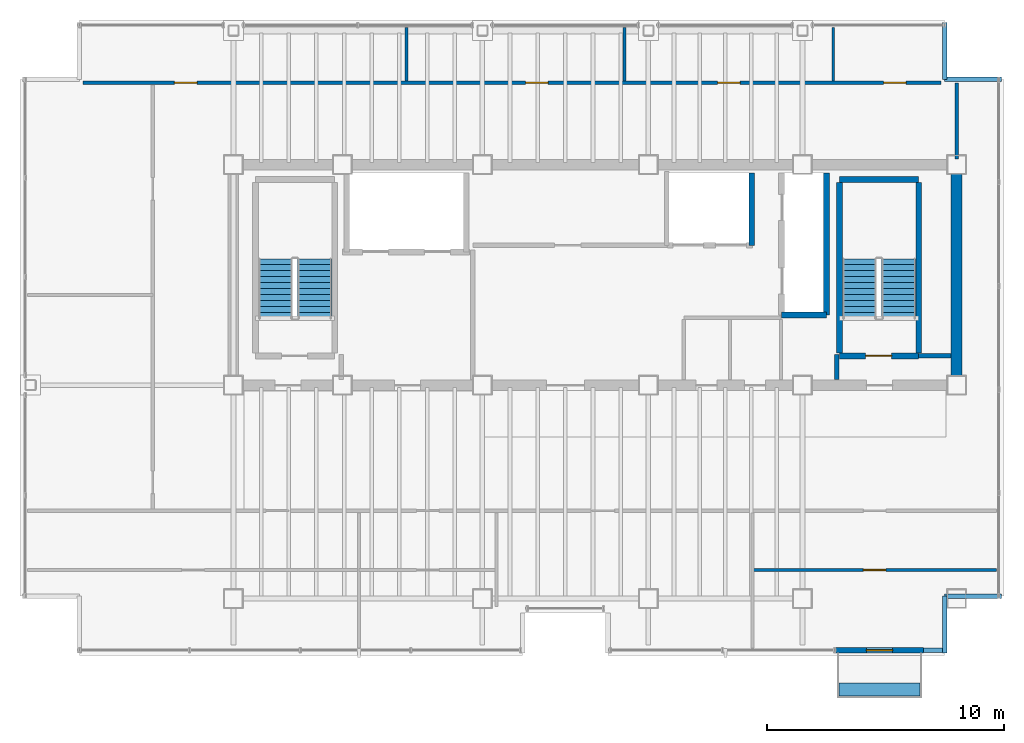
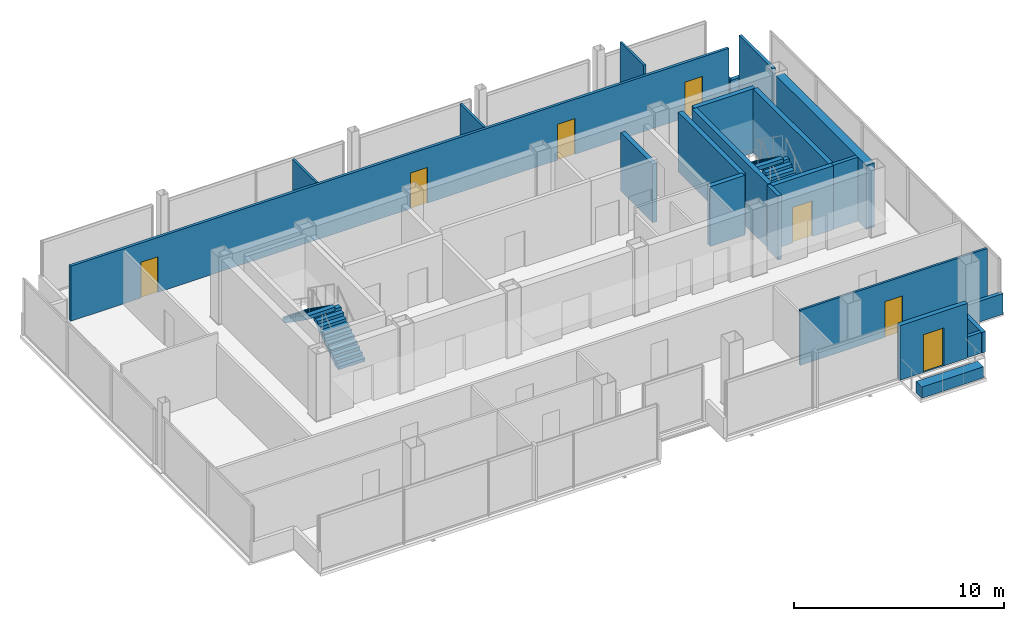
# One storey, part 16 of 17: 22 walls, 7 doors, 4 stair flights, 1 discrete accessory, 7 openings, 2 elements without a shape of their own.
"""IFC4 building model written with IfcOpenShell, lengths in metres."""

import ifcopenshell
import ifcopenshell.guid

model = None  # the IFC model being written
_history = None  # IfcOwnerHistory: only IFC2X3 demands one
_inside = {}  # id of a spatial element -> (the spatial element, [elements in it])
_under = {}  # id of a project, library or spatial element -> (it, [spatial elements below it])
_declared = {}  # id of a project -> (the project, [libraries it declares])
_typed = {}  # id of a type object -> (the type object, [elements of that type])
_made_of = {}  # id of a material, layer set ... -> (it, [elements and type objects made of it])


def new_model(schema):
    """Start an empty IFC model of exactly this schema.

    Asked for "IFC4X3", IfcOpenShell would pick the latest addendum, in which some entities
    have other attributes; the version numbers below select the first issue.
    IFC2X3 requires an IfcOwnerHistory on every rooted entity: one is made here for all.
    """
    global model, _history
    if schema == "IFC4X3":
        model = ifcopenshell.file(schema_version=(4, 3, 0, 0))
    else:
        model = ifcopenshell.file(schema=schema)
    _inside.clear()
    _under.clear()
    _declared.clear()
    _typed.clear()
    _made_of.clear()
    _history = None
    if model.schema == "IFC2X3":
        org = make("IfcOrganization", Name="unknown")
        user = make(
            "IfcPersonAndOrganization",
            ThePerson=make("IfcPerson", FamilyName="unknown"),
            TheOrganization=org,
        )
        app = make(
            "IfcApplication",
            ApplicationDeveloper=org,
            Version="unknown",
            ApplicationFullName="unknown",
            ApplicationIdentifier="unknown",
        )
        _history = make(
            "IfcOwnerHistory",
            OwningUser=user,
            OwningApplication=app,
            ChangeAction="ADDED",
            CreationDate=0,
        )
    return model


def make(cls, **values):
    """One entity of the class cls with the attributes given. An attribute that is None is left unset."""
    return model.create_entity(
        cls, **{name: value for name, value in values.items() if value is not None}
    )


def rooted(cls, **values):
    """An entity with a GlobalId (a new one), such as an element, a storey or a relation."""
    return make(cls, GlobalId=ifcopenshell.guid.new(), OwnerHistory=_history, **values)


def si_unit(unit_type, name, prefix=None):
    """IfcSIUnit, for example si_unit("LENGTHUNIT", "METRE", prefix="MILLI")."""
    return make("IfcSIUnit", UnitType=unit_type, Prefix=prefix, Name=name)


def assignment(units):
    """IfcUnitAssignment: the units of a project."""
    return None if units is None else make("IfcUnitAssignment", Units=units)


def point(xyz):
    """IfcCartesianPoint."""
    return None if xyz is None else make("IfcCartesianPoint", Coordinates=xyz)


def direction(xyz):
    """IfcDirection."""
    return None if xyz is None else make("IfcDirection", DirectionRatios=xyz)


def frame(location, z_axis=None, x_axis=None):
    """IfcAxis2Placement3D, a coordinate frame: its origin and axes. An axis left out is left unset."""
    return make(
        "IfcAxis2Placement3D",
        Location=point(location),
        Axis=direction(z_axis),
        RefDirection=direction(x_axis),
    )


def frame_2d(location, x_axis=None):
    """IfcAxis2Placement2D, a coordinate frame in the plane: its origin and x axis."""
    return make(
        "IfcAxis2Placement2D", Location=point(location), RefDirection=direction(x_axis)
    )


def origin():
    """The frame at (0, 0, 0) with its axes left unset."""
    return frame((0.0, 0.0, 0.0))


def origin_2d():
    """The frame at (0, 0) in the plane with its x axis left unset."""
    return frame_2d((0.0, 0.0))


def place(relative_to, where):
    """IfcLocalPlacement: puts the frame where relative to a parent placement (None: the world)."""
    return make(
        "IfcLocalPlacement", PlacementRelTo=relative_to, RelativePlacement=where
    )


def context(
    kind, dimensions, precision=None, world=None, true_north=None, identifier=None
):
    """IfcGeometricRepresentationContext, for example the 3D "Model" context."""
    return make(
        "IfcGeometricRepresentationContext",
        ContextIdentifier=identifier,
        ContextType=kind,
        CoordinateSpaceDimension=dimensions,
        Precision=precision,
        WorldCoordinateSystem=world,
        TrueNorth=true_north,
    )


def subcontext(parent, identifier, kind, view, scale=None):
    """IfcGeometricRepresentationSubContext, for example "Body" below "Model"."""
    return make(
        "IfcGeometricRepresentationSubContext",
        ContextIdentifier=identifier,
        ContextType=kind,
        ParentContext=parent,
        TargetScale=scale,
        TargetView=view,
    )


def project(units=None, contexts=None):
    """IfcProject with its units and contexts."""
    return rooted(
        "IfcProject",
        Name="project",
        RepresentationContexts=contexts,
        UnitsInContext=assignment(units),
    )


def spatial(cls, under=None, at=None, **own):
    """A site, building, storey or space (cls), placed at a placement, below another one or the project."""
    s = rooted(cls, ObjectPlacement=at, **own)
    if under is not None:
        _under.setdefault(under.id(), (under, []))[1].append(s)
    return s


def polyline(points):
    """IfcPolyline through the points."""
    return make("IfcPolyline", Points=[point(p) for p in points])


def profile(cls, at=None, kind="AREA", **sizes):
    """A parametric profile (cls). Its sizes go by their IFC names, for example OverallWidth=200.0."""
    return make(cls, ProfileType=kind, Position=at, **sizes)


def rectangle(**sizes):
    """IfcRectangleProfileDef."""
    return profile("IfcRectangleProfileDef", **sizes)


def outline(outer, holes=None, kind="AREA"):
    """IfcArbitraryClosedProfileDef: a profile drawn as a closed curve; with holes, ...WithVoids."""
    if holes is None:
        return make("IfcArbitraryClosedProfileDef", ProfileType=kind, OuterCurve=outer)
    return make(
        "IfcArbitraryProfileDefWithVoids",
        ProfileType=kind,
        OuterCurve=outer,
        InnerCurves=holes,
    )


def extrude(swept, where, along, depth):
    """IfcExtrudedAreaSolid: the profile swept, set in the frame where, extruded along a direction by depth."""
    return make(
        "IfcExtrudedAreaSolid",
        SweptArea=swept,
        Position=where,
        ExtrudedDirection=direction(along),
        Depth=depth,
    )


def shape(context_of_items, identifier, shape_type, items):
    """IfcShapeRepresentation: the items that make up one representation, for example the "Body"."""
    return make(
        "IfcShapeRepresentation",
        ContextOfItems=context_of_items,
        RepresentationIdentifier=identifier,
        RepresentationType=shape_type,
        Items=items,
    )


def material(Name=None, Category=None):
    """IfcMaterial."""
    return make("IfcMaterial", Name=Name, Category=Category)


def layer(
    of_material, thickness, ventilated=None, Name=None, Category=None, Priority=None
):
    """IfcMaterialLayer: one layer of a wall or slab, of a material (None: an air gap)."""
    return make(
        "IfcMaterialLayer",
        Material=of_material,
        LayerThickness=thickness,
        IsVentilated=ventilated,
        Name=Name,
        Category=Category,
        Priority=Priority,
    )


def layer_set(layers, Name=None):
    """IfcMaterialLayerSet."""
    return make("IfcMaterialLayerSet", MaterialLayers=layers, LayerSetName=Name)


def made_of(thing, what):
    """Note that an element or type object is made of a material, layer set ...; save() writes the relation."""
    if what is not None:
        _made_of.setdefault(what.id(), (what, []))[1].append(thing)
    return thing


def type_object(cls, material=None, **own):
    """A type object (cls), such as IfcWallType, which elements share."""
    return made_of(rooted(cls, **own), material)


def element(
    cls,
    number,
    at=None,
    inside=None,
    cuts=None,
    type_object=None,
    material=None,
    context=None,
    identifier="Body",
    shape_type=None,
    held_by="IfcProductDefinitionShape",
    body=None,
    shapes=None,
    **own,
):
    """One element of the class cls, such as IfcWall. Its Tag is "e" and its number.

    at: its placement. inside: the storey or other place that contains it. cuts: it is an
    opening in that element (IfcRelVoidsElement). A single representation is given by context,
    identifier, shape_type and body (its items); several are given by shapes. held_by: the class
    of the entity that holds the representations. save() writes the other relations.
    """
    e = rooted(cls, Tag="e%d" % number, ObjectPlacement=at, **own)
    if body is not None:
        shapes = [shape(context, identifier, shape_type, body)]
    if shapes is not None:
        e.Representation = make(held_by, Representations=shapes)
    if inside is not None:
        _inside.setdefault(inside.id(), (inside, []))[1].append(e)
    if cuts is not None:
        rooted(
            "IfcRelVoidsElement", RelatingBuildingElement=cuts, RelatedOpeningElement=e
        )
    if type_object is not None:
        _typed.setdefault(type_object.id(), (type_object, []))[1].append(e)
    return made_of(e, material)


def fill(opening, filler):
    """IfcRelFillsElement: the door or window that sits in an opening."""
    return rooted(
        "IfcRelFillsElement",
        RelatingOpeningElement=opening,
        RelatedBuildingElement=filler,
    )


def aggregate(whole, parts):
    """IfcRelAggregates: a whole, such as a stair, and the parts it consists of."""
    return rooted("IfcRelAggregates", RelatingObject=whole, RelatedObjects=parts)


def save(model, path):
    """Write the relations noted so far, then the file.

    IfcRelAggregates (storeys below a building ...), IfcRelContainedInSpatialStructure (elements
    in a storey), IfcRelDefinesByType, IfcRelAssociatesMaterial and IfcRelDeclares: one each for
    every whole, place, type object, material and project.
    """
    for whole, parts in _under.values():
        aggregate(whole, parts)
    for where, things in _inside.values():
        rooted(
            "IfcRelContainedInSpatialStructure",
            RelatedElements=things,
            RelatingStructure=where,
        )
    for kind, things in _typed.values():
        rooted("IfcRelDefinesByType", RelatedObjects=things, RelatingType=kind)
    for what, things in _made_of.values():
        rooted("IfcRelAssociatesMaterial", RelatedObjects=things, RelatingMaterial=what)
    for by, libraries in _declared.values():
        rooted("IfcRelDeclares", RelatingContext=by, RelatedDefinitions=libraries)
    model.write(path)


model = new_model("IFC4")

# Units and contexts
model_context = context("Model", 3, precision=1e-05, world=origin(), true_north=direction((0.0, 1.0)))
body_context = subcontext(model_context, "Body", "Model", "MODEL_VIEW")
ifc_project = project(units=[si_unit("LENGTHUNIT", "METRE"), si_unit("AREAUNIT", "SQUARE_METRE"), si_unit("VOLUMEUNIT", "CUBIC_METRE"), si_unit("PLANEANGLEUNIT", "RADIAN"), si_unit("MASSUNIT", "GRAM", prefix="KILO")], contexts=[model_context])

# Site, building, storey
site_placement = place(None, origin())
site = spatial("IfcSite", under=ifc_project, at=site_placement, CompositionType="ELEMENT")
building_placement = place(site_placement, origin())
building = spatial("IfcBuilding", under=site, at=building_placement, Name="Noeulbin Bourse Tower", CompositionType="ELEMENT")
storey_placement = place(building_placement, frame((0.0, 0.0, 261.800048828125)))
storey = spatial("IfcBuildingStorey", under=building, at=storey_placement, Name="L65", CompositionType="ELEMENT", Elevation=261.800048828125)

# Wall
ifc_material_1 = material(Name="Concrete C50/60", Category="concrete")
ifc_layer_1 = layer(ifc_material_1, 0.449951171875)
ifc_layer_set_1 = layer_set([ifc_layer_1], Name="Concrete C50/60")
wall_type_1 = type_object("IfcWallType", Name="WAL-CORE-450", PredefinedType="SHEAR", material=ifc_layer_set_1)
wall_1_placement = place(storey_placement, frame((44.0, 29.35009765625, 0.0), z_axis=(0.0, 0.0, 1.0), x_axis=(0.0, 1.0, 0.0)))
element("IfcWall", 1, at=wall_1_placement, inside=storey, type_object=wall_type_1, Name="Rear Core East Shear Wall L65", PredefinedType="SHEAR", context=body_context, shape_type="SweptSolid", body=[
    extrude(rectangle(XDim=8.599853515625, YDim=0.449951171875, at=frame_2d((4.2998046875, 0.0))), origin(), (0.0, 0.0, 1.0), 3.719970703125),
])

# Wall, opening, door
ifc_material_2 = material(Name="Precast Concrete C40/50", Category="concrete")
ifc_layer_2 = layer(ifc_material_2, 0.25)
ifc_layer_set_2 = layer_set([ifc_layer_2], Name="Precast Concrete C40/50")
wall_type_2 = type_object("IfcWallType", Name="WAL-EXT-250", PredefinedType="STANDARD", material=ifc_layer_set_2)
wall_2_placement = place(storey_placement, frame((38.89990234375, 17.820068359375, 0.0), z_axis=(0.0, 0.0, 1.0), x_axis=(1.0, 0.0, 0.0)))
wall_2 = element("IfcWall", 2, at=wall_2_placement, inside=storey, type_object=wall_type_2, Name="Balcony Threshold Wall L65", PredefinedType="STANDARD", context=body_context, shape_type="SweptSolid", body=[
    extrude(rectangle(XDim=3.7001953125, YDim=0.25, at=frame_2d((1.85009765625, 0.0))), origin(), (0.0, 0.0, 1.0), 3.179931640625),
])
opening_1_placement = place(wall_2_placement, frame((1.300048828125, 0.0, 0.0)))
opening_1 = element("IfcOpeningElement", 3, at=opening_1_placement, cuts=wall_2, Name="Opening BD-11", PredefinedType="OPENING", context=body_context, shape_type="SweptSolid", body=[
    extrude(rectangle(XDim=1.10009765625, YDim=2.199951171875, at=frame_2d((0.550048828125, 1.10009765625))), frame((0.0, 0.135009765625, 0.0), z_axis=(0.0, -1.0, 0.0), x_axis=(1.0, 0.0, 0.0)), (0.0, 0.0, 1.0), 0.27001953125),
])
ifc_material_3 = material(Name="Thermally Broken Aluminium Framed Glass", Category="aluminium")
door_type_1 = type_object("IfcDoorType", Name="DR-BAL-1100", OperationType="SINGLE_SWING_LEFT", PredefinedType="DOOR", material=ifc_material_3)
door_1_placement = place(opening_1_placement, origin())
door_1 = element("IfcDoor", 4, at=door_1_placement, inside=storey, type_object=door_type_1, Name="Tree-Balcony Access Door BD-L65", OperationType="SINGLE_SWING_LEFT", OverallHeight=2.199951171875, OverallWidth=1.10009765625, PredefinedType="DOOR", context=body_context, shape_type="SweptSolid", body=[
    extrude(rectangle(XDim=1.10009765625, YDim=2.199951171875, at=frame_2d((0.550048828125, 1.10009765625))), frame((0.0, 0.02490234375, 0.0), z_axis=(0.0, -1.0, 0.0), x_axis=(1.0, 0.0, 0.0)), (0.0, 0.0, 1.0), 0.050048828125),
])
fill(opening_1, door_1)

# Walls
ifc_material_4 = material(Name="Concrete C40/50", Category="concrete")
ifc_layer_3 = layer(ifc_material_4, 0.199951171875)
ifc_layer_set_3 = layer_set([ifc_layer_3], Name="Concrete C40/50")
wall_type_3 = type_object("IfcWallType", Name="WAL-FIRE-200", PredefinedType="STANDARD", material=ifc_layer_set_3)
wall_3_placement = place(storey_placement, frame((42.39990234375, 30.239990234375, 0.0), z_axis=(0.0, 0.0, 1.0), x_axis=(1.0, 0.0, 0.0)))
element("IfcWall", 5, at=wall_3_placement, inside=storey, type_object=wall_type_3, Name="Interior Partition Wall L65-01", PredefinedType="STANDARD", context=body_context, shape_type="SweptSolid", body=[
    extrude(rectangle(XDim=1.364990234375, YDim=0.199951171875, at=frame_2d((0.6826171875, 0.0))), origin(), (0.0, 0.0, 1.0), 3.719970703125),
])
wall_4_placement = place(storey_placement, frame((38.949951171875, 29.235107421875, 0.0), z_axis=(0.0, 0.0, 1.0), x_axis=(0.0, 1.0, 0.0)))
element("IfcWall", 6, at=wall_4_placement, inside=storey, type_object=wall_type_3, Name="Interior Partition Wall L65-11", PredefinedType="STANDARD", context=body_context, shape_type="SweptSolid", body=[
    extrude(rectangle(XDim=1.06494140625, YDim=0.199951171875, at=frame_2d((0.532470703125, 0.0))), origin(), (0.0, 0.0, 1.0), 3.719970703125),
])
ifc_layer_4 = layer(ifc_material_4, 0.199951171875)
ifc_layer_set_4 = layer_set([ifc_layer_4], Name="Concrete C40/50")
wall_type_4 = type_object("IfcWallType", Name="WAL-PAR-200", PredefinedType="PARAPET", material=ifc_layer_set_4)
wall_5_placement = place(storey_placement, frame((42.60009765625, 17.820068359375, 0.0), z_axis=(0.0, 0.0, 1.0), x_axis=(1.0, 0.0, 0.0)))
element("IfcWall", 7, at=wall_5_placement, inside=storey, type_object=wall_type_4, Name="Perimeter Pier Spandrel Parapet L65-S1", PredefinedType="PARAPET", context=body_context, shape_type="SweptSolid", body=[
    extrude(rectangle(XDim=0.7998046875, YDim=0.199951171875, at=frame_2d((0.39990234375, 0.0))), origin(), (0.0, 0.0, 1.0), 1.199951171875),
])
wall_6_placement = place(storey_placement, frame((43.5, 17.699951171875, 0.0), z_axis=(0.0, 0.0, 1.0), x_axis=(0.0, 1.0, 0.0)))
element("IfcWall", 8, at=wall_6_placement, inside=storey, type_object=wall_type_4, Name="Corner Notch Parapet L65-SE1", PredefinedType="PARAPET", context=body_context, shape_type="SweptSolid", body=[
    extrude(rectangle(XDim=2.400146484375, YDim=0.199951171875, at=frame_2d((1.2001953125, 0.0))), origin(), (0.0, 0.0, 1.0), 1.199951171875),
])
wall_7_placement = place(storey_placement, frame((43.5, 20.10009765625, 0.0), z_axis=(0.0, 0.0, 1.0), x_axis=(1.0, 0.0, 0.0)))
element("IfcWall", 9, at=wall_7_placement, inside=storey, type_object=wall_type_4, Name="Corner Notch Parapet L65-SE2", PredefinedType="PARAPET", context=body_context, shape_type="SweptSolid", body=[
    extrude(rectangle(XDim=2.39990234375, YDim=0.199951171875, at=frame_2d((1.199951171875, 0.0))), origin(), (0.0, 0.0, 1.0), 1.199951171875),
])
wall_8_placement = place(storey_placement, frame((43.5, 44.300048828125, 0.0), z_axis=(0.0, 0.0, 1.0), x_axis=(0.0, -1.0, 0.0)))
element("IfcWall", 10, at=wall_8_placement, inside=storey, type_object=wall_type_4, Name="Corner Notch Parapet L65-NE1", PredefinedType="PARAPET", context=body_context, shape_type="SweptSolid", body=[
    extrude(rectangle(XDim=2.400146484375, YDim=0.199951171875, at=frame_2d((1.2001953125, 0.0))), origin(), (0.0, 0.0, 1.0), 1.199951171875),
])
wall_9_placement = place(storey_placement, frame((43.5, 41.89990234375, 0.0), z_axis=(0.0, 0.0, 1.0), x_axis=(1.0, 0.0, 0.0)))
element("IfcWall", 11, at=wall_9_placement, inside=storey, type_object=wall_type_4, Name="Corner Notch Parapet L65-NE2", PredefinedType="PARAPET", context=body_context, shape_type="SweptSolid", body=[
    extrude(rectangle(XDim=2.39990234375, YDim=0.199951171875, at=frame_2d((1.199951171875, 0.0))), origin(), (0.0, 0.0, 1.0), 1.199951171875),
])

# Wall, opening, door
ifc_material_5 = material(Name="Steel Stud Gypsum Partition", Category="steel")
ifc_layer_5 = layer(ifc_material_5, 0.1201171875)
ifc_layer_set_5 = layer_set([ifc_layer_5], Name="Steel Stud Gypsum Partition")
wall_type_5 = type_object("IfcWallType", Name="WAL-PRT-120", PredefinedType="PARTITIONING", material=ifc_layer_set_5)
wall_10_placement = place(storey_placement, frame((35.39990234375, 21.199951171875, 0.0), z_axis=(0.0, 0.0, 1.0), x_axis=(1.0, 0.0, 0.0)))
wall_10 = element("IfcWall", 12, at=wall_10_placement, inside=storey, type_object=wall_type_5, Name="Interior Partition Wall L65-07", PredefinedType="PARTITIONING", context=body_context, shape_type="SweptSolid", body=[
    extrude(rectangle(XDim=10.2900390625, YDim=0.1201171875, at=frame_2d((5.14501953125, 0.0))), origin(), (0.0, 0.0, 1.0), 3.199951171875),
])
opening_2_placement = place(wall_10_placement, frame((4.669921875, 0.0, 0.0)))
opening_2 = element("IfcOpeningElement", 13, at=opening_2_placement, cuts=wall_10, Name="Opening ID-09", PredefinedType="OPENING", context=body_context, shape_type="SweptSolid", body=[
    extrude(rectangle(XDim=0.949951171875, YDim=2.080078125, at=frame_2d((0.47509765625, 1.0400390625))), frame((0.0, 0.070068359375, 0.0), z_axis=(0.0, -1.0, 0.0), x_axis=(1.0, 0.0, 0.0)), (0.0, 0.0, 1.0), 0.14013671875),
])
ifc_material_6 = material(Name="Acoustic Solid-Core Timber", Category="wood")
door_type_2 = type_object("IfcDoorType", Name="DR-SINGLE-950", OperationType="SINGLE_SWING_LEFT", PredefinedType="DOOR", material=ifc_material_6)
door_2_placement = place(opening_2_placement, origin())
door_2 = element("IfcDoor", 14, at=door_2_placement, inside=storey, type_object=door_type_2, Name="Interior Door L65-13", OperationType="SINGLE_SWING_RIGHT", OverallHeight=2.080078125, OverallWidth=0.949951171875, PredefinedType="DOOR", context=body_context, shape_type="SweptSolid", body=[
    extrude(rectangle(XDim=0.949951171875, YDim=2.080078125, at=frame_2d((0.47509765625, 1.0400390625))), frame((0.0, 0.02490234375, 0.0), z_axis=(0.0, -1.0, 0.0), x_axis=(1.0, 0.0, 0.0)), (0.0, 0.0, 1.0), 0.050048828125),
])
fill(opening_2, door_2)

# Walls
for number, where, z_axis, x_axis, name in (
    (15, (20.800048828125, 41.8349609375, 0.0), (0.0, 0.0, 1.0), (0.0, 1.0, 0.0), "Interior Partition Wall L65-21"),
    (16, (30.0, 41.8349609375, 0.0), (0.0, 0.0, 1.0), (0.0, 1.0, 0.0), "Interior Partition Wall L65-22"),
):
    element("IfcWall", number, at=place(storey_placement, frame(where, z_axis=z_axis, x_axis=x_axis)), inside=storey, type_object=wall_type_5, Name=name, PredefinedType="PARTITIONING", context=body_context, shape_type="SweptSolid", body=[
        extrude(rectangle(XDim=2.255126953125, YDim=0.1201171875, at=frame_2d((1.12744140625, 0.0))), origin(), (0.0, 0.0, 1.0), 3.2119140625),
    ])
wall_11_placement = place(storey_placement, frame((38.800048828125, 41.8349609375, 0.0), z_axis=(0.0, 0.0, 1.0), x_axis=(0.0, 1.0, 0.0)))
element("IfcWall", 17, at=wall_11_placement, inside=storey, type_object=wall_type_5, Name="Interior Partition Wall L65-23", PredefinedType="PARTITIONING", context=body_context, shape_type="SweptSolid", body=[
    extrude(rectangle(XDim=2.255126953125, YDim=0.1201171875, at=frame_2d((1.12744140625, 0.0))), origin(), (0.0, 0.0, 1.0), 3.719970703125),
])

# Wall, openings, doors
ifc_material_7 = material(Name="Steel Stud Acoustic Gypsum Board", Category="steel")
ifc_layer_6 = layer(ifc_material_7, 0.14990234375)
ifc_layer_set_6 = layer_set([ifc_layer_6], Name="Steel Stud Acoustic Gypsum Board")
wall_type_6 = type_object("IfcWallType", Name="WAL-PRT-150", PredefinedType="PARTITIONING", material=ifc_layer_set_6)
wall_12_placement = place(storey_placement, frame((7.159912109375, 41.75, 0.0), z_axis=(0.0, 0.0, 1.0), x_axis=(1.0, 0.0, 0.0)))
wall_12 = element("IfcWall", 18, at=wall_12_placement, inside=storey, type_object=wall_type_6, Name="Interior Partition Wall L65-09", PredefinedType="PARTITIONING", context=body_context, shape_type="SweptSolid", body=[
    extrude(rectangle(XDim=36.18017578125, YDim=0.14990234375, at=frame_2d((18.090087890625, 0.0))), origin(), (0.0, 0.0, 1.0), 3.199951171875),
])
opening_3_placement = place(wall_12_placement, frame((3.85498046875, 0.0, 0.0)))
opening_3 = element("IfcOpeningElement", 19, at=opening_3_placement, cuts=wall_12, Name="Opening ID-09", PredefinedType="OPENING", context=body_context, shape_type="SweptSolid", body=[
    extrude(rectangle(XDim=0.949951171875, YDim=2.080078125, at=frame_2d((0.47509765625, 1.0400390625))), frame((0.0, 0.0849609375, 0.0), z_axis=(0.0, -1.0, 0.0), x_axis=(1.0, 0.0, 0.0)), (0.0, 0.0, 1.0), 0.169921875),
])
opening_4_placement = place(wall_12_placement, frame((18.6650390625, 0.0, 0.0)))
opening_4 = element("IfcOpeningElement", 20, at=opening_4_placement, cuts=wall_12, Name="Opening ID-09", PredefinedType="OPENING", context=body_context, shape_type="SweptSolid", body=[
    extrude(rectangle(XDim=0.949951171875, YDim=2.080078125, at=frame_2d((0.47509765625, 1.0400390625))), frame((0.0, 0.0849609375, 0.0), z_axis=(0.0, -1.0, 0.0), x_axis=(1.0, 0.0, 0.0)), (0.0, 0.0, 1.0), 0.169921875),
])
opening_5_placement = place(wall_12_placement, frame((26.764892578125, 0.0, 0.0)))
opening_5 = element("IfcOpeningElement", 21, at=opening_5_placement, cuts=wall_12, Name="Opening ID-09", PredefinedType="OPENING", context=body_context, shape_type="SweptSolid", body=[
    extrude(rectangle(XDim=0.949951171875, YDim=2.080078125, at=frame_2d((0.47509765625, 1.0400390625))), frame((0.0, 0.0849609375, 0.0), z_axis=(0.0, -1.0, 0.0), x_axis=(1.0, 0.0, 0.0)), (0.0, 0.0, 1.0), 0.169921875),
])
opening_6_placement = place(wall_12_placement, frame((33.764892578125, 0.0, 0.0)))
opening_6 = element("IfcOpeningElement", 22, at=opening_6_placement, cuts=wall_12, Name="Opening ID-09", PredefinedType="OPENING", context=body_context, shape_type="SweptSolid", body=[
    extrude(rectangle(XDim=0.949951171875, YDim=2.080078125, at=frame_2d((0.47509765625, 1.0400390625))), frame((0.0, 0.0849609375, 0.0), z_axis=(0.0, -1.0, 0.0), x_axis=(1.0, 0.0, 0.0)), (0.0, 0.0, 1.0), 0.169921875),
])
door_3_placement = place(opening_3_placement, origin())
door_3 = element("IfcDoor", 23, at=door_3_placement, inside=storey, type_object=door_type_2, Name="Interior Door L65-17", OperationType="SINGLE_SWING_RIGHT", OverallHeight=2.080078125, OverallWidth=0.949951171875, PredefinedType="DOOR", context=body_context, shape_type="SweptSolid", body=[
    extrude(rectangle(XDim=0.949951171875, YDim=2.080078125, at=frame_2d((0.47509765625, 1.0400390625))), frame((0.0, 0.02490234375, 0.0), z_axis=(0.0, -1.0, 0.0), x_axis=(1.0, 0.0, 0.0)), (0.0, 0.0, 1.0), 0.050048828125),
])
fill(opening_3, door_3)
door_4_placement = place(opening_4_placement, origin())
door_4 = element("IfcDoor", 24, at=door_4_placement, inside=storey, type_object=door_type_2, Name="Interior Door L65-18", OperationType="SINGLE_SWING_LEFT", OverallHeight=2.080078125, OverallWidth=0.949951171875, PredefinedType="DOOR", context=body_context, shape_type="SweptSolid", body=[
    extrude(rectangle(XDim=0.949951171875, YDim=2.080078125, at=frame_2d((0.47509765625, 1.0400390625))), frame((0.0, 0.02490234375, 0.0), z_axis=(0.0, -1.0, 0.0), x_axis=(1.0, 0.0, 0.0)), (0.0, 0.0, 1.0), 0.050048828125),
])
fill(opening_4, door_4)
door_5_placement = place(opening_5_placement, origin())
door_5 = element("IfcDoor", 25, at=door_5_placement, inside=storey, type_object=door_type_2, Name="Interior Door L65-19", OperationType="SINGLE_SWING_RIGHT", OverallHeight=2.080078125, OverallWidth=0.949951171875, PredefinedType="DOOR", context=body_context, shape_type="SweptSolid", body=[
    extrude(rectangle(XDim=0.949951171875, YDim=2.080078125, at=frame_2d((0.47509765625, 1.0400390625))), frame((0.0, 0.02490234375, 0.0), z_axis=(0.0, -1.0, 0.0), x_axis=(1.0, 0.0, 0.0)), (0.0, 0.0, 1.0), 0.050048828125),
])
fill(opening_5, door_5)
door_6_placement = place(opening_6_placement, origin())
door_6 = element("IfcDoor", 26, at=door_6_placement, inside=storey, type_object=door_type_2, Name="Interior Door L65-20", OperationType="SINGLE_SWING_LEFT", OverallHeight=2.080078125, OverallWidth=0.949951171875, PredefinedType="DOOR", context=body_context, shape_type="SweptSolid", body=[
    extrude(rectangle(XDim=0.949951171875, YDim=2.080078125, at=frame_2d((0.47509765625, 1.0400390625))), frame((0.0, 0.02490234375, 0.0), z_axis=(0.0, -1.0, 0.0), x_axis=(1.0, 0.0, 0.0)), (0.0, 0.0, 1.0), 0.050048828125),
])
fill(opening_6, door_6)

# Wall
wall_13_placement = place(storey_placement, frame((44.0, 38.534912109375, 0.0), z_axis=(0.0, 0.0, 1.0), x_axis=(0.0, 1.0, 0.0)))
element("IfcWall", 27, at=wall_13_placement, inside=storey, type_object=wall_type_6, Name="Interior Partition Wall L65-20", PredefinedType="PARTITIONING", context=body_context, shape_type="SweptSolid", body=[
    extrude(rectangle(XDim=3.205078125, YDim=0.14990234375, at=frame_2d((1.6025390625, 0.0))), origin(), (0.0, 0.0, 1.0), 3.719970703125),
])

# Wall, opening, door
ifc_layer_7 = layer(ifc_material_4, 0.25)
ifc_layer_set_7 = layer_set([ifc_layer_7], Name="Concrete C40/50")
wall_type_7 = type_object("IfcWallType", Name="WAL-SHFT-250", PredefinedType="STANDARD", material=ifc_layer_set_7)
wall_14_placement = place(storey_placement, frame((39.06005859375, 30.235107421875, 0.0), z_axis=(0.0, 0.0, 1.0), x_axis=(1.0, 0.0, 0.0)))
wall_14 = element("IfcWall", 28, at=wall_14_placement, inside=storey, type_object=wall_type_7, Name="Stair ST-2 South Shaft Wall L65", PredefinedType="STANDARD", context=body_context, shape_type="SweptSolid", body=[
    extrude(rectangle(XDim=3.33984375, YDim=0.25, at=frame_2d((1.669921875, 0.0))), origin(), (0.0, 0.0, 1.0), 3.719970703125),
])
opening_7_placement = place(wall_14_placement, frame((1.10009765625, 0.0, 0.0)))
opening_7 = element("IfcOpeningElement", 29, at=opening_7_placement, cuts=wall_14, Name="Opening FD-11", PredefinedType="OPENING", context=body_context, shape_type="SweptSolid", body=[
    extrude(rectangle(XDim=1.10009765625, YDim=2.080078125, at=frame_2d((0.550048828125, 1.0400390625))), frame((0.0, 0.135009765625, 0.0), z_axis=(0.0, -1.0, 0.0), x_axis=(1.0, 0.0, 0.0)), (0.0, 0.0, 1.0), 0.27001953125),
])
ifc_material_8 = material(Name="Fire-Rated Insulated Steel", Category="steel")
door_type_3 = type_object("IfcDoorType", Name="DR-FD60-1100", OperationType="SINGLE_SWING_LEFT", PredefinedType="DOOR", material=ifc_material_8)
door_7_placement = place(opening_7_placement, origin())
door_7 = element("IfcDoor", 30, at=door_7_placement, inside=storey, type_object=door_type_3, Name="Protected Stair Entry Door ST2-L65", OperationType="SINGLE_SWING_LEFT", OverallHeight=2.080078125, OverallWidth=1.10009765625, PredefinedType="DOOR", context=body_context, shape_type="SweptSolid", body=[
    extrude(rectangle(XDim=1.10009765625, YDim=2.080078125, at=frame_2d((0.550048828125, 1.0400390625))), frame((0.0, 0.02490234375, 0.0), z_axis=(0.0, -1.0, 0.0), x_axis=(1.0, 0.0, 0.0)), (0.0, 0.0, 1.0), 0.050048828125),
])
fill(opening_7, door_7)

# Walls
wall_15_placement = place(storey_placement, frame((39.06005859375, 37.6689453125, 0.0), z_axis=(0.0, 0.0, 1.0), x_axis=(1.0, 0.0, 0.0)))
element("IfcWall", 31, at=wall_15_placement, inside=storey, type_object=wall_type_7, Name="Stair ST-2 North Shaft Wall L65", PredefinedType="STANDARD", context=body_context, shape_type="SweptSolid", body=[
    extrude(rectangle(XDim=3.33984375, YDim=0.25, at=frame_2d((1.669921875, 0.0))), origin(), (0.0, 0.0, 1.0), 3.719970703125),
])
for number, where, z_axis, x_axis, name in (
    (32, (39.054931640625, 30.360107421875, 0.0), (0.0, 0.0, 1.0), (0.0, 1.0, 0.0), "Stair ST-2 West Shaft Wall L65"),
    (33, (42.405029296875, 30.360107421875, 0.0), (0.0, 0.0, 1.0), (0.0, 1.0, 0.0), "Stair ST-2 East Shaft Wall L65"),
):
    element("IfcWall", number, at=place(storey_placement, frame(where, z_axis=z_axis, x_axis=x_axis)), inside=storey, type_object=wall_type_7, Name=name, PredefinedType="STANDARD", context=body_context, shape_type="SweptSolid", body=[
        extrude(rectangle(XDim=7.183837890625, YDim=0.25, at=frame_2d((3.591796875, 0.0))), origin(), (0.0, 0.0, 1.0), 3.719970703125),
    ])
wall_16_placement = place(storey_placement, frame((38.52001953125, 31.949951171875, 0.0), z_axis=(0.0, 0.0, 1.0), x_axis=(0.0, 1.0, 0.0)))
element("IfcWall", 34, at=wall_16_placement, inside=storey, type_object=wall_type_7, Name="Service Lift East Shaft Wall L65", PredefinedType="STANDARD", context=body_context, shape_type="SweptSolid", body=[
    extrude(rectangle(XDim=6.0, YDim=0.25, at=frame_2d((3.0, 0.0))), origin(), (0.0, 0.0, 1.0), 3.47998046875),
])
wall_17_placement = place(storey_placement, frame((36.6201171875, 31.949951171875, 0.0), z_axis=(0.0, 0.0, 1.0), x_axis=(1.0, 0.0, 0.0)))
element("IfcWall", 35, at=wall_17_placement, inside=storey, type_object=wall_type_7, Name="Service Lift South Shaft Wall L65", PredefinedType="STANDARD", context=body_context, shape_type="SweptSolid", body=[
    extrude(rectangle(XDim=1.89990234375, YDim=0.25, at=frame_2d((0.949951171875, 0.0))), origin(), (0.0, 0.0, 1.0), 3.47998046875),
])
wall_18_placement = place(storey_placement, frame((35.360107421875, 34.89990234375, 0.0), z_axis=(0.0, 0.0, 1.0), x_axis=(0.0, 1.0, 0.0)))
element("IfcWall", 36, at=wall_18_placement, inside=storey, type_object=wall_type_7, Name="High-Rise Lift East Shaft Wall L65", PredefinedType="STANDARD", context=body_context, shape_type="SweptSolid", body=[
    extrude(rectangle(XDim=3.050048828125, YDim=0.25, at=frame_2d((1.52490234375, 0.0))), origin(), (0.0, 0.0, 1.0), 3.39990234375),
])

# Stair, stair flights
stair_type = type_object("IfcStairType", Name="STR-CORE-1560", PredefinedType="HALF_TURN_STAIR", material=ifc_material_4)
stair_1_placement = place(storey_placement, origin())
stair_1 = element("IfcStair", 37, at=stair_1_placement, inside=storey, type_object=stair_type, Name="L65 ST-1", PredefinedType="HALF_TURN_STAIR")
stair_flight_type = type_object("IfcStairFlightType", Name="SFL-CORE-1560", PredefinedType="STRAIGHT", material=ifc_material_4)
stair_flight_1_placement = place(storey_placement, frame((16.925048828125, 31.81005859375, 0.0), z_axis=(0.0, 0.0, 1.0), x_axis=(0.0, 1.0, 0.0)))
stair_flight_1 = element("IfcStairFlight", 38, at=stair_flight_1_placement, type_object=stair_flight_type, Name="ST-1 flight 1", NumberOfRisers=11, NumberOfTreads=10, PredefinedType="STRAIGHT", RiserHeight=0.177272727, TreadLength=0.252, context=body_context, shape_type="SweptSolid", body=[
    extrude(outline(polyline([(0.0, 0.0), (0.0, 0.17724609375), (0.251953125, 0.17724609375), (0.251953125, 0.3544921875), (0.50390625, 0.3544921875), (0.50390625, 0.53173828125), (0.756103515625, 0.53173828125), (0.756103515625, 0.708984375), (1.008056640625, 0.708984375), (1.008056640625, 0.886474609375), (1.260009765625, 0.886474609375), (1.260009765625, 1.063720703125), (1.511962890625, 1.063720703125), (1.511962890625, 1.240966796875), (1.763916015625, 1.240966796875), (1.763916015625, 1.418212890625), (2.01611328125, 1.418212890625), (2.01611328125, 1.595458984375), (2.26806640625, 1.595458984375), (2.26806640625, 1.772705078125), (2.52001953125, 1.772705078125), (2.52001953125, 1.949951171875), (2.52001953125, 1.552734375), (0.312744140625, 0.0), (0.0, 0.0)])), frame((0.0, 0.72509765625, 0.0), z_axis=(0.0, -1.0, 0.0), x_axis=(1.0, 0.0, 0.0)), (0.0, 0.0, 1.0), 1.449951171875),
])
stair_flight_2_placement = place(storey_placement, frame((15.27490234375, 34.330078125, 1.949951171875), z_axis=(0.0, 0.0, 1.0), x_axis=(0.0, -1.0, 0.0)))
stair_flight_2 = element("IfcStairFlight", 39, at=stair_flight_2_placement, type_object=stair_flight_type, Name="ST-1 flight 2", NumberOfRisers=11, NumberOfTreads=10, PredefinedType="STRAIGHT", RiserHeight=0.177272727, TreadLength=0.252, context=body_context, shape_type="SweptSolid", body=[
    extrude(outline(polyline([(0.0, 0.0), (0.0, 0.17724609375), (0.251953125, 0.17724609375), (0.251953125, 0.3544921875), (0.50390625, 0.3544921875), (0.50390625, 0.53173828125), (0.756103515625, 0.53173828125), (0.756103515625, 0.708984375), (1.008056640625, 0.708984375), (1.008056640625, 0.886474609375), (1.260009765625, 0.886474609375), (1.260009765625, 1.063720703125), (1.511962890625, 1.063720703125), (1.511962890625, 1.240966796875), (1.763916015625, 1.240966796875), (1.763916015625, 1.418212890625), (2.01611328125, 1.418212890625), (2.01611328125, 1.595458984375), (2.26806640625, 1.595458984375), (2.26806640625, 1.772705078125), (2.52001953125, 1.772705078125), (2.52001953125, 1.949951171875), (2.52001953125, 1.552734375), (0.312744140625, 0.0), (0.0, 0.0)])), frame((0.0, 0.72509765625, 0.0), z_axis=(0.0, -1.0, 0.0), x_axis=(1.0, 0.0, 0.0)), (0.0, 0.0, 1.0), 1.449951171875),
])
aggregate(stair_1, [stair_flight_1, stair_flight_2])

stair_2_placement = place(storey_placement, origin())
stair_2 = element("IfcStair", 40, at=stair_2_placement, inside=storey, type_object=stair_type, Name="L65 ST-2", PredefinedType="HALF_TURN_STAIR")
stair_flight_3_placement = place(storey_placement, frame((41.554931640625, 31.81005859375, 0.0), z_axis=(0.0, 0.0, 1.0), x_axis=(0.0, 1.0, 0.0)))
stair_flight_3 = element("IfcStairFlight", 41, at=stair_flight_3_placement, type_object=stair_flight_type, Name="ST-2 flight 1", NumberOfRisers=11, NumberOfTreads=10, PredefinedType="STRAIGHT", RiserHeight=0.177272727, TreadLength=0.252, context=body_context, shape_type="SweptSolid", body=[
    extrude(outline(polyline([(0.0, 0.0), (0.0, 0.17724609375), (0.251953125, 0.17724609375), (0.251953125, 0.3544921875), (0.50390625, 0.3544921875), (0.50390625, 0.53173828125), (0.756103515625, 0.53173828125), (0.756103515625, 0.708984375), (1.008056640625, 0.708984375), (1.008056640625, 0.886474609375), (1.260009765625, 0.886474609375), (1.260009765625, 1.063720703125), (1.511962890625, 1.063720703125), (1.511962890625, 1.240966796875), (1.763916015625, 1.240966796875), (1.763916015625, 1.418212890625), (2.01611328125, 1.418212890625), (2.01611328125, 1.595458984375), (2.26806640625, 1.595458984375), (2.26806640625, 1.772705078125), (2.52001953125, 1.772705078125), (2.52001953125, 1.949951171875), (2.52001953125, 1.552734375), (0.312744140625, 0.0), (0.0, 0.0)])), frame((0.0, 0.72509765625, 0.0), z_axis=(0.0, -1.0, 0.0), x_axis=(1.0, 0.0, 0.0)), (0.0, 0.0, 1.0), 1.449951171875),
])
stair_flight_4_placement = place(storey_placement, frame((39.905029296875, 34.330078125, 1.949951171875), z_axis=(0.0, 0.0, 1.0), x_axis=(0.0, -1.0, 0.0)))
stair_flight_4 = element("IfcStairFlight", 42, at=stair_flight_4_placement, type_object=stair_flight_type, Name="ST-2 flight 2", NumberOfRisers=11, NumberOfTreads=10, PredefinedType="STRAIGHT", RiserHeight=0.177272727, TreadLength=0.252, context=body_context, shape_type="SweptSolid", body=[
    extrude(outline(polyline([(0.0, 0.0), (0.0, 0.17724609375), (0.251953125, 0.17724609375), (0.251953125, 0.3544921875), (0.50390625, 0.3544921875), (0.50390625, 0.53173828125), (0.756103515625, 0.53173828125), (0.756103515625, 0.708984375), (1.008056640625, 0.708984375), (1.008056640625, 0.886474609375), (1.260009765625, 0.886474609375), (1.260009765625, 1.063720703125), (1.511962890625, 1.063720703125), (1.511962890625, 1.240966796875), (1.763916015625, 1.240966796875), (1.763916015625, 1.418212890625), (2.01611328125, 1.418212890625), (2.01611328125, 1.595458984375), (2.26806640625, 1.595458984375), (2.26806640625, 1.772705078125), (2.52001953125, 1.772705078125), (2.52001953125, 1.949951171875), (2.52001953125, 1.552734375), (0.312744140625, 0.0), (0.0, 0.0)])), frame((0.0, 0.72509765625, 0.0), z_axis=(0.0, -1.0, 0.0), x_axis=(1.0, 0.0, 0.0)), (0.0, 0.0, 1.0), 1.449951171875),
])
aggregate(stair_2, [stair_flight_3, stair_flight_4])

# Discrete accessory
ifc_material_9 = material(Name="Architectural GFRC Concrete C40/50", Category="concrete")
ifc_layer_8 = layer(ifc_material_9, 0.64990234375)
ifc_layer_set_8 = layer_set([ifc_layer_8], Name="Architectural GFRC Concrete C40/50")
discrete_accessory_type = type_object("IfcDiscreteAccessoryType", Name="PLANTER-BOX-3600", PredefinedType="USERDEFINED", material=ifc_layer_set_8)
discrete_accessory_placement = place(storey_placement, frame((40.75, 16.159912109375, 0.0), z_axis=(0.0, 0.0, 1.0), x_axis=(1.0, 0.0, 0.0)))
element("IfcDiscreteAccessory", 43, at=discrete_accessory_placement, inside=storey, type_object=discrete_accessory_type, Name="Integrated Balcony Tree Planter Box L65", ObjectType="PLANTER", PredefinedType="USERDEFINED", context=body_context, shape_type="SweptSolid", body=[
    extrude(rectangle(XDim=3.39990234375, YDim=0.550048828125, at=origin_2d()), origin(), (0.0, 0.0, 1.0), 0.64990234375),
])

save(model, "model.ifc")
